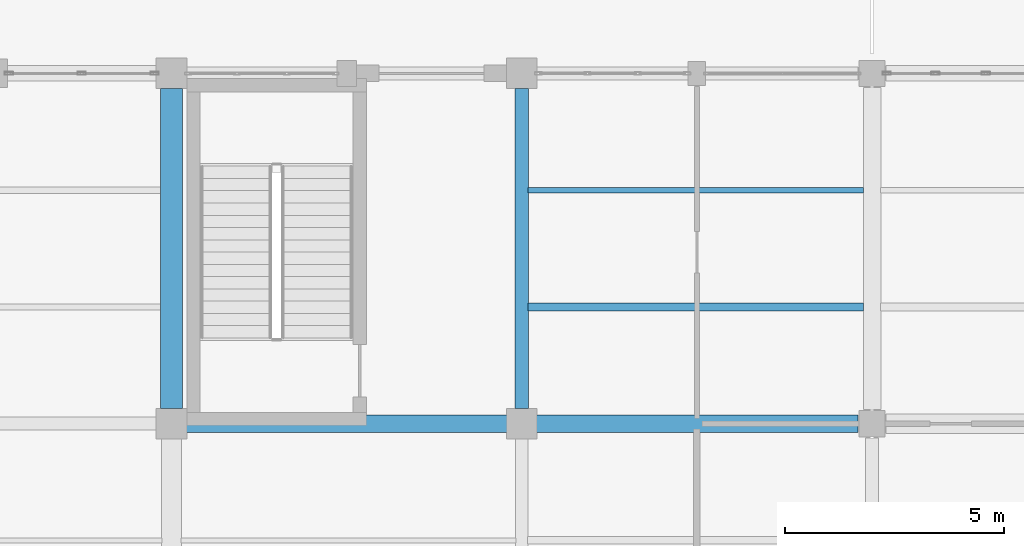
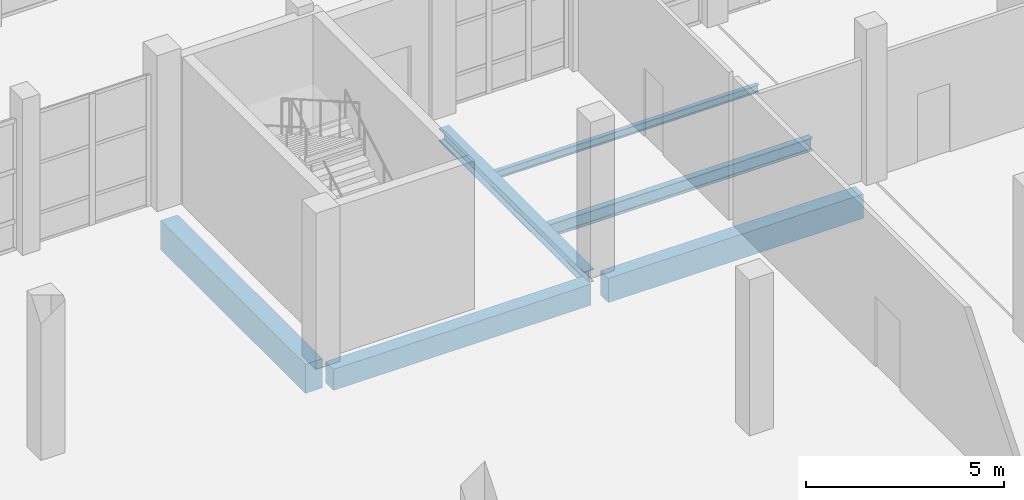
# One storey, part 22 of 156: 6 beams.
"""IFC4 building model written with IfcOpenShell, lengths in metres."""

from ifc_helpers import new_model, si_unit, direction, frame, origin, origin_2d, place, context, subcontext, project, spatial, rectangle, i_section, extrude, material, material_profile, profile_set, type_object, element, save


model = new_model("IFC4")

# Units and contexts
model_context = context("Model", 3, precision=1e-05, world=origin(), true_north=direction((0.0, 1.0)))
body_context = subcontext(model_context, "Body", "Model", "MODEL_VIEW")
ifc_project = project(units=[si_unit("LENGTHUNIT", "METRE"), si_unit("AREAUNIT", "SQUARE_METRE"), si_unit("VOLUMEUNIT", "CUBIC_METRE"), si_unit("PLANEANGLEUNIT", "RADIAN"), si_unit("MASSUNIT", "GRAM", prefix="KILO")], contexts=[model_context])

# Site, building, storey
site_placement = place(None, origin())
site = spatial("IfcSite", under=ifc_project, at=site_placement, CompositionType="ELEMENT")
building_placement = place(site_placement, origin())
building = spatial("IfcBuilding", under=site, at=building_placement, Name="Luwemba Playhouse", CompositionType="ELEMENT")
storey_placement = place(building_placement, origin())
storey = spatial("IfcBuildingStorey", under=building, at=storey_placement, Name="L00", CompositionType="ELEMENT", Elevation=0.0)

# Beams
ifc_material_1 = material(Name="Concrete C40/50", Category="concrete")
ifc_material_profile_1 = material_profile(ifc_material_1, rectangle(XDim=0.39990234375, YDim=0.64990234375, at=origin_2d()))
ifc_profile_set_1 = profile_set([ifc_material_profile_1], Name="Concrete C40/50")
beam_type_1 = type_object("IfcBeamType", Name="BM-RB02", PredefinedType="BEAM", material=ifc_profile_set_1)
beam_1_placement = place(storey_placement, frame((36.25, 19.0, -0.625), z_axis=(1.0, 0.0, 0.0), x_axis=(0.0, 1.0, 0.0)))
element("IfcBeam", 1, at=beam_1_placement, inside=storey, type_object=beam_type_1, Name="L00 grid girder 0168", PredefinedType="BEAM", context=body_context, shape_type="SweptSolid", body=[
    extrude(rectangle(XDim=0.39990234375, YDim=0.64990234375, at=origin_2d()), origin(), (0.0, 0.0, 1.0), 7.5),
])
ifc_material_profile_2 = material_profile(ifc_material_1, rectangle(XDim=0.39990234375, YDim=0.75, at=origin_2d()))
ifc_profile_set_2 = profile_set([ifc_material_profile_2], Name="Concrete C40/50")
beam_type_2 = type_object("IfcBeamType", Name="BM-RB03", PredefinedType="BEAM", material=ifc_profile_set_2)
beam_2_placement = place(storey_placement, frame((44.25, 19.0, -0.675048828125), z_axis=(1.0, 0.0, 0.0), x_axis=(0.0, 1.0, 0.0)))
element("IfcBeam", 2, at=beam_2_placement, inside=storey, type_object=beam_type_2, Name="L00 grid girder 0169", PredefinedType="BEAM", context=body_context, shape_type="SweptSolid", body=[
    extrude(rectangle(XDim=0.39990234375, YDim=0.75, at=origin_2d()), origin(), (0.0, 0.0, 1.0), 7.425048828125),
])
ifc_material_profile_3 = material_profile(ifc_material_1, rectangle(XDim=0.5, YDim=0.89990234375, at=origin_2d()))
ifc_profile_set_3 = profile_set([ifc_material_profile_3], Name="Concrete C40/50")
beam_type_3 = type_object("IfcBeamType", Name="BM-RB07", PredefinedType="BEAM", material=ifc_profile_set_3)
beam_3_placement = place(storey_placement, frame((36.0, 19.35009765625, -0.75), z_axis=(0.0, 1.0, 0.0), x_axis=(-1.0, 0.0, 0.0)))
element("IfcBeam", 3, at=beam_3_placement, inside=storey, type_object=beam_type_3, Name="L00 transverse girder 0192", PredefinedType="BEAM", context=body_context, shape_type="SweptSolid", body=[
    extrude(rectangle(XDim=0.5, YDim=0.89990234375, at=origin_2d()), origin(), (0.0, 0.0, 1.0), 7.2998046875),
])
ifc_material_2 = material(Name="Steel S355", Category="steel")
ifc_material_profile_4 = material_profile(ifc_material_2, i_section(OverallWidth=0.300048828125, OverallDepth=0.389892578125, WebThickness=0.010986328125, FlangeThickness=0.01904296875, FilletRadius=0.027099609375, at=origin_2d()))
ifc_profile_set_4 = profile_set([ifc_material_profile_4], Name="Steel S355")
beam_type_4 = type_object("IfcBeamType", Name="BM-SB05", PredefinedType="BEAM", material=ifc_profile_set_4)
beam_4_placement = place(storey_placement, frame((44.0, 19.35009765625, -0.4951171875), z_axis=(0.0, 1.0, 0.0), x_axis=(-1.0, 0.0, 0.0)))
element("IfcBeam", 4, at=beam_4_placement, inside=storey, type_object=beam_type_4, Name="L00 transverse girder 0195", PredefinedType="BEAM", context=body_context, shape_type="SweptSolid", body=[
    extrude(i_section(OverallWidth=0.300048828125, OverallDepth=0.389892578125, WebThickness=0.010986328125, FlangeThickness=0.01904296875, FilletRadius=0.027099609375, at=origin_2d()), origin(), (0.0, 0.0, 1.0), 7.2998046875),
])
ifc_material_profile_5 = material_profile(ifc_material_2, i_section(OverallWidth=0.1201171875, OverallDepth=0.239990234375, WebThickness=0.006103515625, FlangeThickness=0.009765625, FilletRadius=0.014892578125, at=origin_2d()))
ifc_profile_set_5 = profile_set([ifc_material_profile_5], Name="Steel S355")
beam_type_5 = type_object("IfcBeamType", Name="BM-SJ03", PredefinedType="JOIST", material=ifc_profile_set_5)
beam_5_placement = place(storey_placement, frame((44.14599609375, 24.333251953125, -0.419921875), z_axis=(1.0, 0.0, 0.0), x_axis=(0.0, 1.0, 0.0)))
element("IfcBeam", 5, at=beam_5_placement, inside=storey, type_object=beam_type_5, Name="L00 composite floor joist 0149", PredefinedType="JOIST", context=body_context, shape_type="SweptSolid", body=[
    extrude(i_section(OverallWidth=0.1201171875, OverallDepth=0.239990234375, WebThickness=0.006103515625, FlangeThickness=0.009765625, FilletRadius=0.014892578125, at=origin_2d()), origin(), (0.0, 0.0, 1.0), 7.657958984375),
])
ifc_material_profile_6 = material_profile(ifc_material_2, i_section(OverallWidth=0.179931640625, OverallDepth=0.39990234375, WebThickness=0.008544921875, FlangeThickness=0.013427734375, FilletRadius=0.02099609375, at=origin_2d()))
ifc_profile_set_6 = profile_set([ifc_material_profile_6], Name="Steel S355")
beam_type_6 = type_object("IfcBeamType", Name="BM-SJ08", PredefinedType="JOIST", material=ifc_profile_set_6)
beam_6_placement = place(storey_placement, frame((44.14599609375, 21.666748046875, -0.5), z_axis=(1.0, 0.0, 0.0), x_axis=(0.0, 1.0, 0.0)))
element("IfcBeam", 6, at=beam_6_placement, inside=storey, type_object=beam_type_6, Name="L00 composite floor joist 0148", PredefinedType="JOIST", context=body_context, shape_type="SweptSolid", body=[
    extrude(i_section(OverallWidth=0.179931640625, OverallDepth=0.39990234375, WebThickness=0.008544921875, FlangeThickness=0.013427734375, FilletRadius=0.02099609375, at=origin_2d()), origin(), (0.0, 0.0, 1.0), 7.657958984375),
])

save(model, "model.ifc")
